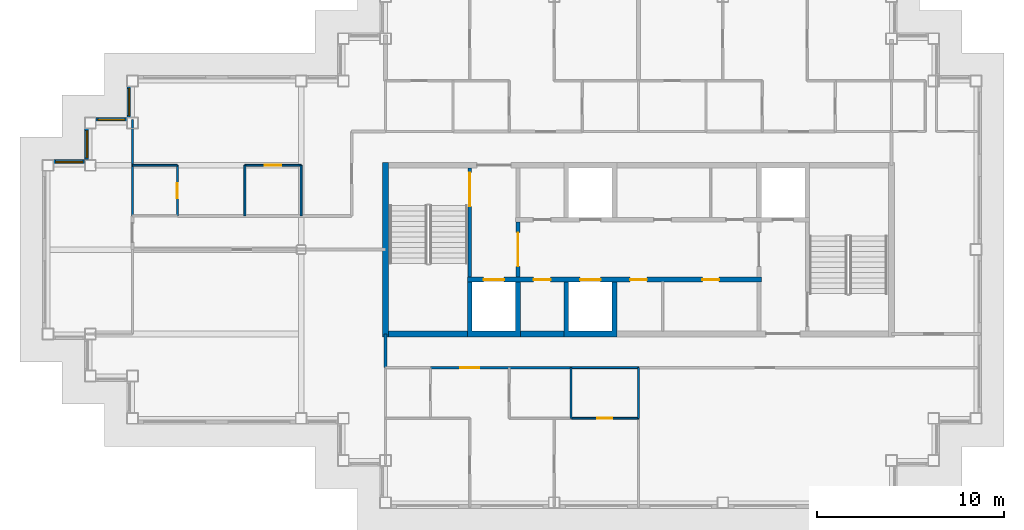
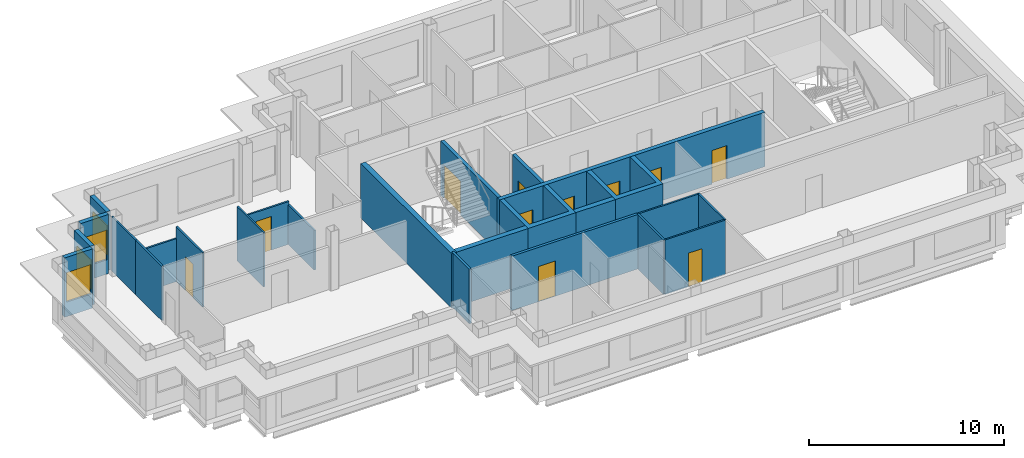
# One storey, part 3 of 12: 25 walls, 11 doors, 4 windows, 15 openings.
"""IFC4 building model written with IfcOpenShell, lengths in metres."""

from ifc_helpers import new_model, si_unit, direction, frame, frame_2d, origin, place, context, subcontext, project, spatial, polyline, rectangle, outline, extrude, material, layer, layer_set, type_object, element, fill, save


model = new_model("IFC4")

# Units and contexts
model_context = context("Model", 3, precision=1e-05, world=origin(), true_north=direction((0.0, 1.0)))
body_context = subcontext(model_context, "Body", "Model", "MODEL_VIEW")
ifc_project = project(units=[si_unit("LENGTHUNIT", "METRE"), si_unit("AREAUNIT", "SQUARE_METRE"), si_unit("VOLUMEUNIT", "CUBIC_METRE"), si_unit("PLANEANGLEUNIT", "RADIAN"), si_unit("MASSUNIT", "GRAM", prefix="KILO")], contexts=[model_context])

# Site, building, storey
site_placement = place(None, origin())
site = spatial("IfcSite", under=ifc_project, at=site_placement, CompositionType="ELEMENT")
building_placement = place(site_placement, origin())
building = spatial("IfcBuilding", under=site, at=building_placement, Name="Caravel Reach Hotel and Residences", CompositionType="ELEMENT")
storey_placement = place(building_placement, frame((0.0, 0.0, 245.300048828125)))
storey = spatial("IfcBuildingStorey", under=building, at=storey_placement, Name="L62", CompositionType="ELEMENT", Elevation=245.300048828125)

# Wall, opening, door
ifc_material_1 = material(Name="Gypsum board on steel stud", Category="steel")
ifc_layer_1 = layer(ifc_material_1, 0.10009765625)
ifc_layer_set_1 = layer_set([ifc_layer_1], Name="Bathroom pod wall 100 mm")
wall_type_1 = type_object("IfcWallType", Name="Bathroom pod wall 100 mm", PredefinedType="PARTITIONING", material=ifc_layer_set_1)
wall_1_placement = place(storey_placement, frame((27.89990234375, 18.0, 0.0), z_axis=(0.0, 0.0, 1.0), x_axis=(1.0, 0.0, 0.0)))
wall_1 = element("IfcWall", 1, at=wall_1_placement, inside=storey, type_object=wall_type_1, Name="L62 wall w052", PredefinedType="PARTITIONING", context=body_context, shape_type="SweptSolid", body=[
    extrude(rectangle(XDim=3.60009765625, YDim=0.10009765625, at=frame_2d((1.800048828125, 0.0))), origin(), (0.0, 0.0, 1.0), 3.39990234375),
])
opening_1_placement = place(wall_1_placement, frame((1.39990234375, 0.0, 0.0)))
opening_1 = element("IfcOpeningElement", 2, at=opening_1_placement, cuts=wall_1, Name="Opening D62-036", PredefinedType="OPENING", context=body_context, shape_type="SweptSolid", body=[
    extrude(rectangle(XDim=0.800048828125, YDim=2.10009765625, at=frame_2d((0.39990234375, 1.050048828125))), frame((0.0, 0.06005859375, 0.0), z_axis=(0.0, -1.0, 0.0), x_axis=(1.0, 0.0, 0.0)), (0.0, 0.0, 1.0), 0.1201171875),
])
ifc_material_2 = material(Name="Timber and steel door leaf", Category="steel")
door_type_1 = type_object("IfcDoorType", Name="Bathroom door 800 x 2100", OperationType="SINGLE_SWING_LEFT", PredefinedType="DOOR", material=ifc_material_2)
door_1_placement = place(opening_1_placement, origin())
door_1 = element("IfcDoor", 3, at=door_1_placement, inside=storey, type_object=door_type_1, Name="door D62-036", OperationType="SINGLE_SWING_RIGHT", OverallHeight=2.10009765625, OverallWidth=0.800048828125, PredefinedType="DOOR", context=body_context, shape_type="SweptSolid", body=[
    extrude(rectangle(XDim=0.800048828125, YDim=2.10009765625, at=frame_2d((0.39990234375, 1.050048828125))), frame((0.0, 0.02490234375, 0.0), z_axis=(0.0, -1.0, 0.0), x_axis=(1.0, 0.0, 0.0)), (0.0, 0.0, 1.0), 0.050048828125),
])
fill(opening_1, door_1)

# Walls
wall_2_placement = place(storey_placement, frame((27.89990234375, 20.699951171875, 0.0), z_axis=(0.0, 0.0, 1.0), x_axis=(1.0, 0.0, 0.0)))
element("IfcWall", 4, at=wall_2_placement, inside=storey, type_object=wall_type_1, Name="L62 wall w054", PredefinedType="PARTITIONING", context=body_context, shape_type="SweptSolid", body=[
    extrude(rectangle(XDim=3.60009765625, YDim=0.10009765625, at=frame_2d((1.800048828125, 0.0))), origin(), (0.0, 0.0, 1.0), 3.39990234375),
])
wall_3_placement = place(storey_placement, frame((4.5, 31.5, 0.0), z_axis=(0.0, 0.0, 1.0), x_axis=(1.0, 0.0, 0.0)))
element("IfcWall", 5, at=wall_3_placement, inside=storey, type_object=wall_type_1, Name="L62 wall w056", PredefinedType="PARTITIONING", context=body_context, shape_type="SweptSolid", body=[
    extrude(rectangle(XDim=2.39990234375, YDim=0.10009765625, at=frame_2d((1.199951171875, 0.0))), origin(), (0.0, 0.0, 1.0), 2.679931640625),
])
for number, where, z_axis, x_axis, name in (
    (6, (27.89990234375, 18.0, 0.0), (0.0, 0.0, 1.0), (0.0, 1.0, 0.0), "L62 wall w070"),
    (7, (31.5, 18.0, 0.0), (0.0, 0.0, 1.0), (0.0, 1.0, 0.0), "L62 wall w073"),
    (8, (4.5, 28.800048828125, 0.0), (0.0, 0.0, 1.0), (0.0, 1.0, 0.0), "L62 wall w075"),
):
    element("IfcWall", number, at=place(storey_placement, frame(where, z_axis=z_axis, x_axis=x_axis)), inside=storey, type_object=wall_type_1, Name=name, PredefinedType="PARTITIONING", context=body_context, shape_type="SweptSolid", body=[
        extrude(rectangle(XDim=2.699951171875, YDim=0.10009765625, at=frame_2d((1.35009765625, 0.0))), origin(), (0.0, 0.0, 1.0), 3.39990234375),
    ])

# Wall, opening, door
wall_4_placement = place(storey_placement, frame((6.89990234375, 28.800048828125, 0.0), z_axis=(0.0, 0.0, 1.0), x_axis=(0.0, 1.0, 0.0)))
wall_4 = element("IfcWall", 9, at=wall_4_placement, inside=storey, type_object=wall_type_1, Name="L62 wall w079", PredefinedType="PARTITIONING", context=body_context, shape_type="SweptSolid", body=[
    extrude(rectangle(XDim=2.699951171875, YDim=0.10009765625, at=frame_2d((1.35009765625, 0.0))), origin(), (0.0, 0.0, 1.0), 3.39990234375),
])
opening_2_placement = place(wall_4_placement, frame((0.949951171875, 0.0, 0.0)))
opening_2 = element("IfcOpeningElement", 10, at=opening_2_placement, cuts=wall_4, Name="Opening D62-030", PredefinedType="OPENING", context=body_context, shape_type="SweptSolid", body=[
    extrude(rectangle(XDim=0.800048828125, YDim=2.10009765625, at=frame_2d((0.39990234375, 1.050048828125))), frame((0.0, 0.06005859375, 0.0), z_axis=(0.0, -1.0, 0.0), x_axis=(1.0, 0.0, 0.0)), (0.0, 0.0, 1.0), 0.1201171875),
])
door_2_placement = place(opening_2_placement, origin())
door_2 = element("IfcDoor", 11, at=door_2_placement, inside=storey, type_object=door_type_1, Name="door D62-030", OperationType="SINGLE_SWING_RIGHT", OverallHeight=2.10009765625, OverallWidth=0.800048828125, PredefinedType="DOOR", context=body_context, shape_type="SweptSolid", body=[
    extrude(rectangle(XDim=0.800048828125, YDim=2.10009765625, at=frame_2d((0.39990234375, 1.050048828125))), frame((0.0, 0.02490234375, 0.0), z_axis=(0.0, -1.0, 0.0), x_axis=(1.0, 0.0, 0.0)), (0.0, 0.0, 1.0), 0.050048828125),
])
fill(opening_2, door_2)

# Walls
ifc_material_3 = material(Name="Concrete C60", Category="concrete")
ifc_layer_2 = layer(ifc_material_3, 0.300048828125)
ifc_layer_set_2 = layer_set([ifc_layer_2], Name="Core wall 300 mm EI 120")
wall_type_2 = type_object("IfcWallType", Name="Core wall 300 mm EI 120", PredefinedType="SHEAR", material=ifc_layer_set_2)
wall_5_placement = place(storey_placement, frame((18.14990234375, 22.5, 0.0), z_axis=(0.0, 0.0, 1.0), x_axis=(1.0, 0.0, 0.0)))
element("IfcWall", 12, at=wall_5_placement, inside=storey, type_object=wall_type_2, Name="L62 core wall S1", PredefinedType="SHEAR", context=body_context, shape_type="SweptSolid", body=[
    extrude(rectangle(XDim=4.22509765625, YDim=0.300048828125, at=frame_2d((2.112548828125, 0.0))), origin(), (0.0, 0.0, 1.0), 3.39990234375),
])
wall_6_placement = place(storey_placement, frame((25.196533203125, 22.5, 0.0), z_axis=(0.0, 0.0, 1.0), x_axis=(1.0, 0.0, 0.0)))
element("IfcWall", 13, at=wall_6_placement, inside=storey, type_object=wall_type_2, Name="L62 core wall S2", PredefinedType="SHEAR", context=body_context, shape_type="SweptSolid", body=[
    extrude(rectangle(XDim=2.3212890625, YDim=0.300048828125, at=frame_2d((1.16064453125, 0.0))), origin(), (0.0, 0.0, 1.0), 3.39990234375),
])
wall_7_placement = place(storey_placement, frame((18.0, 22.35009765625, 0.0), z_axis=(0.0, 0.0, 1.0), x_axis=(0.0, 1.0, 0.0)))
element("IfcWall", 14, at=wall_7_placement, inside=storey, type_object=wall_type_2, Name="L62 core wall W", PredefinedType="SHEAR", context=body_context, shape_type="SweptSolid", body=[
    extrude(rectangle(XDim=9.2998046875, YDim=0.300048828125, at=frame_2d((4.64990234375, 0.0))), origin(), (0.0, 0.0, 1.0), 3.39990234375),
])

# Wall, opening, door
ifc_material_4 = material(Name="Gypsum board on steel stud, fire-rated", Category="steel")
ifc_layer_3 = layer(ifc_material_4, 0.14990234375)
ifc_layer_set_3 = layer_set([ifc_layer_3], Name="Corridor wall 150 mm EI 60")
wall_type_3 = type_object("IfcWallType", Name="Corridor wall 150 mm EI 60", PredefinedType="PARTITIONING", material=ifc_layer_set_3)
wall_8_placement = place(storey_placement, frame((20.39990234375, 20.699951171875, 0.0), z_axis=(0.0, 0.0, 1.0), x_axis=(1.0, 0.0, 0.0)))
wall_8 = element("IfcWall", 15, at=wall_8_placement, inside=storey, type_object=wall_type_3, Name="L62 wall w001", PredefinedType="PARTITIONING", context=body_context, shape_type="SweptSolid", body=[
    extrude(rectangle(XDim=7.5, YDim=0.14990234375, at=frame_2d((3.75, 0.0))), origin(), (0.0, 0.0, 1.0), 3.39990234375),
])
opening_3_placement = place(wall_8_placement, frame((1.60009765625, 0.0, 0.0)))
opening_3 = element("IfcOpeningElement", 16, at=opening_3_placement, cuts=wall_8, Name="Opening D62-033", PredefinedType="OPENING", context=body_context, shape_type="SweptSolid", body=[
    extrude(rectangle(XDim=1.0, YDim=2.199951171875, at=frame_2d((0.5, 1.10009765625))), frame((0.0, 0.0849609375, 0.0), z_axis=(0.0, -1.0, 0.0), x_axis=(1.0, 0.0, 0.0)), (0.0, 0.0, 1.0), 0.169921875),
])
ifc_material_5 = material(Name="Steel fire door leaf", Category="steel")
door_type_2 = type_object("IfcDoorType", Name="Flat entrance door 1000 x 2200 EI 60", OperationType="SINGLE_SWING_LEFT", PredefinedType="DOOR", material=ifc_material_5)
door_3_placement = place(opening_3_placement, origin())
door_3 = element("IfcDoor", 17, at=door_3_placement, inside=storey, type_object=door_type_2, Name="door D62-033", OperationType="SINGLE_SWING_RIGHT", OverallHeight=2.199951171875, OverallWidth=1.0, PredefinedType="DOOR", context=body_context, shape_type="SweptSolid", body=[
    extrude(rectangle(XDim=1.0, YDim=2.199951171875, at=frame_2d((0.5, 1.10009765625))), frame((0.0, 0.02490234375, 0.0), z_axis=(0.0, -1.0, 0.0), x_axis=(1.0, 0.0, 0.0)), (0.0, 0.0, 1.0), 0.050048828125),
])
fill(opening_3, door_3)

# Wall
wall_9_placement = place(storey_placement, frame((18.0, 20.699951171875, 0.0), z_axis=(0.0, 0.0, 1.0), x_axis=(0.0, 1.0, 0.0)))
element("IfcWall", 18, at=wall_9_placement, inside=storey, type_object=wall_type_3, Name="L62 wall w016", PredefinedType="PARTITIONING", context=body_context, shape_type="SweptSolid", body=[
    extrude(rectangle(XDim=1.800048828125, YDim=0.14990234375, at=frame_2d((0.89990234375, 0.0))), origin(), (0.0, 0.0, 1.0), 3.39990234375),
])

# Wall, opening, window
ifc_material_6 = material(Name="Insulated rainscreen wall, aluminium cladding", Category="aluminium")
ifc_layer_4 = layer(ifc_material_6, 0.25)
ifc_layer_set_4 = layer_set([ifc_layer_4], Name="EW1 Tower rainscreen wall")
wall_type_4 = type_object("IfcWallType", Name="EW1 Tower rainscreen wall", PredefinedType="SOLIDWALL", material=ifc_layer_set_4)
wall_10_placement = place(storey_placement, frame((4.324951171875, 35.699951171875, 0.0), z_axis=(0.0, 0.0, 1.0), x_axis=(0.0, -1.0, 0.0)))
wall_10 = element("IfcWall", 19, at=wall_10_placement, inside=storey, type_object=wall_type_4, Name="External wall L62 W19.1", PredefinedType="SOLIDWALL", context=body_context, shape_type="SweptSolid", body=[
    extrude(rectangle(XDim=1.64990234375, YDim=0.25, at=frame_2d((0.824951171875, 0.0))), origin(), (0.0, 0.0, 1.0), 3.699951171875),
])
opening_4_placement = place(wall_10_placement, frame((0.10009765625, 0.0, 0.89990234375)))
opening_4 = element("IfcOpeningElement", 20, at=opening_4_placement, cuts=wall_10, Name="Opening WN25", PredefinedType="OPENING", context=body_context, shape_type="SweptSolid", body=[
    extrude(rectangle(XDim=1.449951171875, YDim=1.85009765625, at=frame_2d((0.72509765625, 0.925048828125))), frame((0.0, 0.135009765625, 0.0), z_axis=(0.0, -1.0, 0.0), x_axis=(1.0, 0.0, 0.0)), (0.0, 0.0, 1.0), 0.27001953125),
])
ifc_material_7 = material(Name="Dark low-e glazing in black aluminium frame", Category="aluminium")
window_type = type_object("IfcWindowType", Name="Residence bedroom window 1450 x 1850", PartitioningType="SINGLE_PANEL", PredefinedType="WINDOW", material=ifc_material_7)
window_1_placement = place(opening_4_placement, origin())
window_1 = element("IfcWindow", 21, at=window_1_placement, inside=storey, type_object=window_type, Name="Window L62 W19.1.1", OverallHeight=1.85009765625, OverallWidth=1.449951171875, PartitioningType="SINGLE_PANEL", PredefinedType="WINDOW", context=body_context, shape_type="SweptSolid", body=[
    extrude(rectangle(XDim=1.449951171875, YDim=1.85009765625, at=frame_2d((0.72509765625, 0.925048828125))), frame((0.0, 0.030029296875, 0.0), z_axis=(0.0, -1.0, 0.0), x_axis=(1.0, 0.0, 0.0)), (0.0, 0.0, 1.0), 0.06005859375),
])
fill(opening_4, window_1)

wall_11_placement = place(storey_placement, frame((4.199951171875, 33.925048828125, 0.0), z_axis=(0.0, 0.0, 1.0), x_axis=(-1.0, 0.0, 0.0)))
wall_11 = element("IfcWall", 22, at=wall_11_placement, inside=storey, type_object=wall_type_4, Name="External wall L62 N20.1", PredefinedType="SOLIDWALL", context=body_context, shape_type="SweptSolid", body=[
    extrude(rectangle(XDim=1.64990234375, YDim=0.25, at=frame_2d((0.824951171875, 0.0))), origin(), (0.0, 0.0, 1.0), 3.699951171875),
])
opening_5_placement = place(wall_11_placement, frame((0.10009765625, 0.0, 0.89990234375)))
opening_5 = element("IfcOpeningElement", 23, at=opening_5_placement, cuts=wall_11, Name="Opening WN25", PredefinedType="OPENING", context=body_context, shape_type="SweptSolid", body=[
    extrude(rectangle(XDim=1.449951171875, YDim=1.85009765625, at=frame_2d((0.72509765625, 0.925048828125))), frame((0.0, 0.135009765625, 0.0), z_axis=(0.0, -1.0, 0.0), x_axis=(1.0, 0.0, 0.0)), (0.0, 0.0, 1.0), 0.27001953125),
])
window_2_placement = place(opening_5_placement, origin())
window_2 = element("IfcWindow", 24, at=window_2_placement, inside=storey, type_object=window_type, Name="Window L62 N20.1.1", OverallHeight=1.85009765625, OverallWidth=1.449951171875, PartitioningType="SINGLE_PANEL", PredefinedType="WINDOW", context=body_context, shape_type="SweptSolid", body=[
    extrude(rectangle(XDim=1.449951171875, YDim=1.85009765625, at=frame_2d((0.72509765625, 0.925048828125))), frame((0.0, 0.030029296875, 0.0), z_axis=(0.0, -1.0, 0.0), x_axis=(1.0, 0.0, 0.0)), (0.0, 0.0, 1.0), 0.06005859375),
])
fill(opening_5, window_2)

wall_12_placement = place(storey_placement, frame((2.074951171875, 33.449951171875, 0.0), z_axis=(0.0, 0.0, 1.0), x_axis=(0.0, -1.0, 0.0)))
wall_12 = element("IfcWall", 25, at=wall_12_placement, inside=storey, type_object=wall_type_4, Name="External wall L62 W21.1", PredefinedType="SOLIDWALL", context=body_context, shape_type="SweptSolid", body=[
    extrude(rectangle(XDim=1.64990234375, YDim=0.25, at=frame_2d((0.824951171875, 0.0))), origin(), (0.0, 0.0, 1.0), 3.699951171875),
])
opening_6_placement = place(wall_12_placement, frame((0.10009765625, 0.0, 0.89990234375)))
opening_6 = element("IfcOpeningElement", 26, at=opening_6_placement, cuts=wall_12, Name="Opening WN25", PredefinedType="OPENING", context=body_context, shape_type="SweptSolid", body=[
    extrude(rectangle(XDim=1.449951171875, YDim=1.85009765625, at=frame_2d((0.72509765625, 0.925048828125))), frame((0.0, 0.135009765625, 0.0), z_axis=(0.0, -1.0, 0.0), x_axis=(1.0, 0.0, 0.0)), (0.0, 0.0, 1.0), 0.27001953125),
])
window_3_placement = place(opening_6_placement, origin())
window_3 = element("IfcWindow", 27, at=window_3_placement, inside=storey, type_object=window_type, Name="Window L62 W21.1.1", OverallHeight=1.85009765625, OverallWidth=1.449951171875, PartitioningType="SINGLE_PANEL", PredefinedType="WINDOW", context=body_context, shape_type="SweptSolid", body=[
    extrude(rectangle(XDim=1.449951171875, YDim=1.85009765625, at=frame_2d((0.72509765625, 0.925048828125))), frame((0.0, 0.030029296875, 0.0), z_axis=(0.0, -1.0, 0.0), x_axis=(1.0, 0.0, 0.0)), (0.0, 0.0, 1.0), 0.06005859375),
])
fill(opening_6, window_3)

wall_13_placement = place(storey_placement, frame((1.949951171875, 31.675048828125, 0.0), z_axis=(0.0, 0.0, 1.0), x_axis=(-1.0, 0.0, 0.0)))
wall_13 = element("IfcWall", 28, at=wall_13_placement, inside=storey, type_object=wall_type_4, Name="External wall L62 N22.1", PredefinedType="SOLIDWALL", context=body_context, shape_type="SweptSolid", body=[
    extrude(rectangle(XDim=1.64990234375, YDim=0.25, at=frame_2d((0.824951171875, 0.0))), origin(), (0.0, 0.0, 1.0), 3.699951171875),
])
opening_7_placement = place(wall_13_placement, frame((0.10009765625, 0.0, 0.89990234375)))
opening_7 = element("IfcOpeningElement", 29, at=opening_7_placement, cuts=wall_13, Name="Opening WN25", PredefinedType="OPENING", context=body_context, shape_type="SweptSolid", body=[
    extrude(rectangle(XDim=1.449951171875, YDim=1.85009765625, at=frame_2d((0.72509765625, 0.925048828125))), frame((0.0, 0.135009765625, 0.0), z_axis=(0.0, -1.0, 0.0), x_axis=(1.0, 0.0, 0.0)), (0.0, 0.0, 1.0), 0.27001953125),
])
window_4_placement = place(opening_7_placement, origin())
window_4 = element("IfcWindow", 30, at=window_4_placement, inside=storey, type_object=window_type, Name="Window L62 N22.1.1", OverallHeight=1.85009765625, OverallWidth=1.449951171875, PartitioningType="SINGLE_PANEL", PredefinedType="WINDOW", context=body_context, shape_type="SweptSolid", body=[
    extrude(rectangle(XDim=1.449951171875, YDim=1.85009765625, at=frame_2d((0.72509765625, 0.925048828125))), frame((0.0, 0.030029296875, 0.0), z_axis=(0.0, -1.0, 0.0), x_axis=(1.0, 0.0, 0.0)), (0.0, 0.0, 1.0), 0.06005859375),
])
fill(opening_7, window_4)

# Wall, opening, door
ifc_material_8 = material(Name="Autoclaved aerated block wall")
ifc_layer_5 = layer(ifc_material_8, 0.199951171875)
ifc_layer_set_5 = layer_set([ifc_layer_5], Name="Fire lobby wall 200 mm EI 120")
wall_type_5 = type_object("IfcWallType", Name="Fire lobby wall 200 mm EI 120", PredefinedType="PARTITIONING", material=ifc_layer_set_5)
wall_14_placement = place(storey_placement, frame((25.071533203125, 25.52490234375, 0.0), z_axis=(0.0, 0.0, 1.0), x_axis=(0.0, 1.0, 0.0)))
wall_14 = element("IfcWall", 31, at=wall_14_placement, inside=storey, type_object=wall_type_5, Name="L62 lobby W wall", PredefinedType="PARTITIONING", context=body_context, shape_type="SweptSolid", body=[
    extrude(rectangle(XDim=2.9501953125, YDim=0.199951171875, at=frame_2d((1.47509765625, 0.0))), origin(), (0.0, 0.0, 1.0), 3.39990234375),
])
opening_8_placement = place(wall_14_placement, frame((0.574951171875, 0.0, 0.0)))
opening_8 = element("IfcOpeningElement", 32, at=opening_8_placement, cuts=wall_14, Name="Opening D62-013", PredefinedType="OPENING", context=body_context, shape_type="SweptSolid", body=[
    extrude(rectangle(XDim=1.800048828125, YDim=2.10009765625, at=frame_2d((0.89990234375, 1.050048828125))), frame((0.0, 0.10986328125, 0.0), z_axis=(0.0, -1.0, 0.0), x_axis=(1.0, 0.0, 0.0)), (0.0, 0.0, 1.0), 0.219970703125),
])
ifc_material_9 = material(Name="Steel fire door leaf", Category="steel")
door_type_3 = type_object("IfcDoorType", Name="Fire lobby door pair 1800 x 2100 EI 90", OperationType="DOUBLE_DOOR_SINGLE_SWING", PredefinedType="DOOR", material=ifc_material_9)
door_4_placement = place(opening_8_placement, origin())
door_4 = element("IfcDoor", 33, at=door_4_placement, inside=storey, type_object=door_type_3, Name="lobby W door pair", OperationType="DOUBLE_DOOR_SINGLE_SWING", OverallHeight=2.10009765625, OverallWidth=1.800048828125, PredefinedType="DOOR", context=body_context, shape_type="SweptSolid", body=[
    extrude(rectangle(XDim=1.800048828125, YDim=2.10009765625, at=frame_2d((0.89990234375, 1.050048828125))), frame((0.0, 0.02490234375, 0.0), z_axis=(0.0, -1.0, 0.0), x_axis=(1.0, 0.0, 0.0)), (0.0, 0.0, 1.0), 0.050048828125),
])
fill(opening_8, door_4)

ifc_material_10 = material(Name="Gypsum board on steel stud", Category="steel")
ifc_layer_6 = layer(ifc_material_10, 0.10009765625)
ifc_layer_set_6 = layer_set([ifc_layer_6], Name="Partition 100 mm")
wall_type_6 = type_object("IfcWallType", Name="Partition 100 mm", PredefinedType="PARTITIONING", material=ifc_layer_set_6)
wall_15_placement = place(storey_placement, frame((10.5, 31.5, 0.0), z_axis=(0.0, 0.0, 1.0), x_axis=(1.0, 0.0, 0.0)))
wall_15 = element("IfcWall", 34, at=wall_15_placement, inside=storey, type_object=wall_type_6, Name="L62 wall w023", PredefinedType="PARTITIONING", context=body_context, shape_type="SweptSolid", body=[
    extrude(rectangle(XDim=3.0, YDim=0.10009765625, at=frame_2d((1.5, 0.0))), origin(), (0.0, 0.0, 1.0), 2.679931640625),
])
opening_9_placement = place(wall_15_placement, frame((1.050048828125, 0.0, 0.0)))
opening_9 = element("IfcOpeningElement", 35, at=opening_9_placement, cuts=wall_15, Name="Opening D62-031", PredefinedType="OPENING", context=body_context, shape_type="SweptSolid", body=[
    extrude(rectangle(XDim=0.89990234375, YDim=2.10009765625, at=frame_2d((0.449951171875, 1.050048828125))), frame((0.0, 0.06005859375, 0.0), z_axis=(0.0, -1.0, 0.0), x_axis=(1.0, 0.0, 0.0)), (0.0, 0.0, 1.0), 0.1201171875),
])
ifc_material_11 = material(Name="Timber and steel door leaf", Category="steel")
door_type_4 = type_object("IfcDoorType", Name="Door 900 x 2100 timber", OperationType="SINGLE_SWING_LEFT", PredefinedType="DOOR", material=ifc_material_11)
door_5_placement = place(opening_9_placement, origin())
door_5 = element("IfcDoor", 36, at=door_5_placement, inside=storey, type_object=door_type_4, Name="door D62-031", OperationType="SINGLE_SWING_LEFT", OverallHeight=2.10009765625, OverallWidth=0.89990234375, PredefinedType="DOOR", context=body_context, shape_type="SweptSolid", body=[
    extrude(rectangle(XDim=0.89990234375, YDim=2.10009765625, at=frame_2d((0.449951171875, 1.050048828125))), frame((0.0, 0.02490234375, 0.0), z_axis=(0.0, -1.0, 0.0), x_axis=(1.0, 0.0, 0.0)), (0.0, 0.0, 1.0), 0.050048828125),
])
fill(opening_9, door_5)

# Walls
wall_16_placement = place(storey_placement, frame((10.5, 28.800048828125, 0.0), z_axis=(0.0, 0.0, 1.0), x_axis=(0.0, 1.0, 0.0)))
element("IfcWall", 37, at=wall_16_placement, inside=storey, type_object=wall_type_6, Name="L62 wall w032", PredefinedType="PARTITIONING", context=body_context, shape_type="SweptSolid", body=[
    extrude(rectangle(XDim=2.699951171875, YDim=0.10009765625, at=frame_2d((1.35009765625, 0.0))), origin(), (0.0, 0.0, 1.0), 3.39990234375),
])
wall_17_placement = place(storey_placement, frame((13.5, 28.801025390625, 0.0), z_axis=(0.0, 0.0, 1.0), x_axis=(0.0, 1.0, 0.0)))
element("IfcWall", 38, at=wall_17_placement, inside=storey, type_object=wall_type_6, Name="L62 wall w033", PredefinedType="PARTITIONING", context=body_context, shape_type="SweptSolid", body=[
    extrude(rectangle(XDim=2.698974609375, YDim=0.10009765625, at=frame_2d((1.349609375, 0.0))), origin(), (0.0, 0.0, 1.0), 2.47998046875),
])
wall_18_placement = place(storey_placement, frame((4.5, 31.5009765625, 0.0), z_axis=(0.0, 0.0, 1.0), x_axis=(0.0, 1.0, 0.0)))
element("IfcWall", 39, at=wall_18_placement, inside=storey, type_object=wall_type_6, Name="L62 wall w044", PredefinedType="PARTITIONING", context=body_context, shape_type="SweptSolid", body=[
    extrude(rectangle(XDim=2.43896484375, YDim=0.10009765625, at=frame_2d((1.219482421875, 0.0))), origin(), (0.0, 0.0, 1.0), 3.39990234375),
])
ifc_material_12 = material(Name="Concrete C60", Category="concrete")
ifc_layer_7 = layer(ifc_material_12, 0.25)
ifc_layer_set_7 = layer_set([ifc_layer_7], Name="Shaft wall 250 mm EI 120")
wall_type_7 = type_object("IfcWallType", Name="Shaft wall 250 mm EI 120", PredefinedType="SHEAR", material=ifc_layer_set_7)
wall_19_placement = place(storey_placement, origin())
element("IfcWall", 40, at=wall_19_placement, inside=storey, type_object=wall_type_7, Name="L62 lift shaft wall S1", PredefinedType="SHEAR", context=body_context, shape_type="SweptSolid", body=[
    extrude(outline(polyline([(22.375, 22.35009765625), (25.196533203125, 22.35009765625), (25.196533203125, 25.27490234375), (24.946533203125, 25.27490234375), (24.946533203125, 22.64990234375), (22.625, 22.64990234375), (22.625, 25.27490234375), (22.375, 25.27490234375), (22.375, 22.35009765625)])), origin(), (0.0, 0.0, 1.0), 3.39990234375),
])
wall_20_placement = place(storey_placement, origin())
element("IfcWall", 41, at=wall_20_placement, inside=storey, type_object=wall_type_7, Name="L62 lift shaft wall S2", PredefinedType="SHEAR", context=body_context, shape_type="SweptSolid", body=[
    extrude(outline(polyline([(27.517822265625, 22.35009765625), (30.33935546875, 22.35009765625), (30.33935546875, 25.27490234375), (30.08935546875, 25.27490234375), (30.08935546875, 22.64990234375), (27.767822265625, 22.64990234375), (27.767822265625, 25.27490234375), (27.517822265625, 25.27490234375), (27.517822265625, 22.35009765625)])), origin(), (0.0, 0.0, 1.0), 3.39990234375),
])

# Wall, openings, doors
wall_21_placement = place(storey_placement, frame((22.375, 25.39990234375, 0.0), z_axis=(0.0, 0.0, 1.0), x_axis=(1.0, 0.0, 0.0)))
wall_21 = element("IfcWall", 42, at=wall_21_placement, inside=storey, type_object=wall_type_7, Name="L62 lobby wall S1", PredefinedType="SHEAR", context=body_context, shape_type="SweptSolid", body=[
    extrude(rectangle(XDim=15.678466796875, YDim=0.25, at=frame_2d((7.83935546875, 0.0))), origin(), (0.0, 0.0, 1.0), 3.39990234375),
])
opening_10_placement = place(wall_21_placement, frame((6.003662109375, 0.0, 0.0)))
opening_10 = element("IfcOpeningElement", 43, at=opening_10_placement, cuts=wall_21, Name="Opening D62-001", PredefinedType="OPENING", context=body_context, shape_type="SweptSolid", body=[
    extrude(rectangle(XDim=1.10009765625, YDim=2.10009765625, at=frame_2d((0.550048828125, 1.050048828125))), frame((0.0, 0.135009765625, 0.0), z_axis=(0.0, -1.0, 0.0), x_axis=(1.0, 0.0, 0.0)), (0.0, 0.0, 1.0), 0.27001953125),
])
opening_11_placement = place(wall_21_placement, frame((0.860595703125, 0.0, 0.0)))
opening_11 = element("IfcOpeningElement", 44, at=opening_11_placement, cuts=wall_21, Name="Opening D62-003", PredefinedType="OPENING", context=body_context, shape_type="SweptSolid", body=[
    extrude(rectangle(XDim=1.10009765625, YDim=2.10009765625, at=frame_2d((0.550048828125, 1.050048828125))), frame((0.0, 0.135009765625, 0.0), z_axis=(0.0, -1.0, 0.0), x_axis=(1.0, 0.0, 0.0)), (0.0, 0.0, 1.0), 0.27001953125),
])
opening_12_placement = place(wall_21_placement, frame((3.531982421875, 0.0, 0.0)))
opening_12 = element("IfcOpeningElement", 45, at=opening_12_placement, cuts=wall_21, Name="Opening D62-005", PredefinedType="OPENING", context=body_context, shape_type="SweptSolid", body=[
    extrude(rectangle(XDim=0.89990234375, YDim=2.10009765625, at=frame_2d((0.449951171875, 1.050048828125))), frame((0.0, 0.135009765625, 0.0), z_axis=(0.0, -1.0, 0.0), x_axis=(1.0, 0.0, 0.0)), (0.0, 0.0, 1.0), 0.27001953125),
])
opening_13_placement = place(wall_21_placement, frame((8.675048828125, 0.0, 0.0)))
opening_13 = element("IfcOpeningElement", 46, at=opening_13_placement, cuts=wall_21, Name="Opening D62-006", PredefinedType="OPENING", context=body_context, shape_type="SweptSolid", body=[
    extrude(rectangle(XDim=0.89990234375, YDim=2.10009765625, at=frame_2d((0.449951171875, 1.050048828125))), frame((0.0, 0.135009765625, 0.0), z_axis=(0.0, -1.0, 0.0), x_axis=(1.0, 0.0, 0.0)), (0.0, 0.0, 1.0), 0.27001953125),
])
opening_14_placement = place(wall_21_placement, frame((12.531982421875, 0.0, 0.0)))
opening_14 = element("IfcOpeningElement", 47, at=opening_14_placement, cuts=wall_21, Name="Opening D62-007", PredefinedType="OPENING", context=body_context, shape_type="SweptSolid", body=[
    extrude(rectangle(XDim=0.89990234375, YDim=2.10009765625, at=frame_2d((0.449951171875, 1.050048828125))), frame((0.0, 0.135009765625, 0.0), z_axis=(0.0, -1.0, 0.0), x_axis=(1.0, 0.0, 0.0)), (0.0, 0.0, 1.0), 0.27001953125),
])
ifc_material_13 = material(Name="Stainless steel landing door", Category="steel")
door_type_5 = type_object("IfcDoorType", Name="Landing door LD 1100 x 2100 sliding", OperationType="DOUBLE_DOOR_SLIDING", PredefinedType="DOOR", material=ifc_material_13)
door_6_placement = place(opening_10_placement, origin())
door_6 = element("IfcDoor", 48, at=door_6_placement, inside=storey, type_object=door_type_5, Name="HP1 landing door", OperationType="DOUBLE_DOOR_SLIDING", OverallHeight=2.10009765625, OverallWidth=1.10009765625, PredefinedType="DOOR", context=body_context, shape_type="SweptSolid", body=[
    extrude(rectangle(XDim=1.10009765625, YDim=2.10009765625, at=frame_2d((0.550048828125, 1.050048828125))), frame((0.0, 0.02490234375, 0.0), z_axis=(0.0, -1.0, 0.0), x_axis=(1.0, 0.0, 0.0)), (0.0, 0.0, 1.0), 0.050048828125),
])
fill(opening_10, door_6)
door_7_placement = place(opening_11_placement, origin())
door_7 = element("IfcDoor", 49, at=door_7_placement, inside=storey, type_object=door_type_5, Name="FL1 landing door", OperationType="DOUBLE_DOOR_SLIDING", OverallHeight=2.10009765625, OverallWidth=1.10009765625, PredefinedType="DOOR", context=body_context, shape_type="SweptSolid", body=[
    extrude(rectangle(XDim=1.10009765625, YDim=2.10009765625, at=frame_2d((0.550048828125, 1.050048828125))), frame((0.0, 0.02490234375, 0.0), z_axis=(0.0, -1.0, 0.0), x_axis=(1.0, 0.0, 0.0)), (0.0, 0.0, 1.0), 0.050048828125),
])
fill(opening_11, door_7)
ifc_material_14 = material(Name="Steel fire door leaf", Category="steel")
door_type_6 = type_object("IfcDoorType", Name="Riser door 900 x 2100 EI 60", OperationType="SINGLE_SWING_LEFT", PredefinedType="DOOR", material=ifc_material_14)
door_8_placement = place(opening_12_placement, origin())
door_8 = element("IfcDoor", 50, at=door_8_placement, inside=storey, type_object=door_type_6, Name="Refuse store door", OperationType="SINGLE_SWING_LEFT", OverallHeight=2.10009765625, OverallWidth=0.89990234375, PredefinedType="DOOR", context=body_context, shape_type="SweptSolid", body=[
    extrude(rectangle(XDim=0.89990234375, YDim=2.10009765625, at=frame_2d((0.449951171875, 1.050048828125))), frame((0.0, 0.02490234375, 0.0), z_axis=(0.0, -1.0, 0.0), x_axis=(1.0, 0.0, 0.0)), (0.0, 0.0, 1.0), 0.050048828125),
])
fill(opening_12, door_8)
door_9_placement = place(opening_13_placement, origin())
door_9 = element("IfcDoor", 51, at=door_9_placement, inside=storey, type_object=door_type_6, Name="Housekeeping store door", OperationType="SINGLE_SWING_LEFT", OverallHeight=2.10009765625, OverallWidth=0.89990234375, PredefinedType="DOOR", context=body_context, shape_type="SweptSolid", body=[
    extrude(rectangle(XDim=0.89990234375, YDim=2.10009765625, at=frame_2d((0.449951171875, 1.050048828125))), frame((0.0, 0.02490234375, 0.0), z_axis=(0.0, -1.0, 0.0), x_axis=(1.0, 0.0, 0.0)), (0.0, 0.0, 1.0), 0.050048828125),
])
fill(opening_13, door_9)
door_10_placement = place(opening_14_placement, origin())
door_10 = element("IfcDoor", 52, at=door_10_placement, inside=storey, type_object=door_type_6, Name="Mail store door", OperationType="SINGLE_SWING_LEFT", OverallHeight=2.10009765625, OverallWidth=0.89990234375, PredefinedType="DOOR", context=body_context, shape_type="SweptSolid", body=[
    extrude(rectangle(XDim=0.89990234375, YDim=2.10009765625, at=frame_2d((0.449951171875, 1.050048828125))), frame((0.0, 0.02490234375, 0.0), z_axis=(0.0, -1.0, 0.0), x_axis=(1.0, 0.0, 0.0)), (0.0, 0.0, 1.0), 0.050048828125),
])
fill(opening_14, door_10)

# Wall, opening, door
ifc_material_15 = material(Name="Concrete C60", Category="concrete")
ifc_layer_8 = layer(ifc_material_15, 0.199951171875)
ifc_layer_set_8 = layer_set([ifc_layer_8], Name="Stair enclosure wall 200 mm EI 120")
wall_type_8 = type_object("IfcWallType", Name="Stair enclosure wall 200 mm EI 120", PredefinedType="SHEAR", material=ifc_layer_set_8)
wall_22_placement = place(storey_placement, frame((22.5, 31.35009765625, 0.0), z_axis=(0.0, 0.0, 1.0), x_axis=(0.0, -1.0, 0.0)))
wall_22 = element("IfcWall", 53, at=wall_22_placement, inside=storey, type_object=wall_type_8, Name="L62 stair A wall", PredefinedType="SHEAR", context=body_context, shape_type="SweptSolid", body=[
    extrude(rectangle(XDim=5.8251953125, YDim=0.199951171875, at=frame_2d((2.91259765625, 0.0))), origin(), (0.0, 0.0, 1.0), 3.39990234375),
])
opening_15_placement = place(wall_22_placement, frame((0.25, 0.0, 0.0)))
opening_15 = element("IfcOpeningElement", 54, at=opening_15_placement, cuts=wall_22, Name="Opening D62-011", PredefinedType="OPENING", context=body_context, shape_type="SweptSolid", body=[
    extrude(rectangle(XDim=1.800048828125, YDim=2.10009765625, at=frame_2d((0.89990234375, 1.050048828125))), frame((0.0, 0.10986328125, 0.0), z_axis=(0.0, -1.0, 0.0), x_axis=(1.0, 0.0, 0.0)), (0.0, 0.0, 1.0), 0.219970703125),
])
ifc_material_16 = material(Name="Steel fire door leaf", Category="steel")
door_type_7 = type_object("IfcDoorType", Name="Stair door pair 1800 x 2100 EI 90", OperationType="DOUBLE_DOOR_SINGLE_SWING", PredefinedType="DOOR", material=ifc_material_16)
door_11_placement = place(opening_15_placement, origin())
door_11 = element("IfcDoor", 55, at=door_11_placement, inside=storey, type_object=door_type_7, Name="stair A door pair", OperationType="DOUBLE_DOOR_SINGLE_SWING", OverallHeight=2.10009765625, OverallWidth=1.800048828125, PredefinedType="DOOR", context=body_context, shape_type="SweptSolid", body=[
    extrude(rectangle(XDim=1.800048828125, YDim=2.10009765625, at=frame_2d((0.89990234375, 1.050048828125))), frame((0.0, 0.02490234375, 0.0), z_axis=(0.0, -1.0, 0.0), x_axis=(1.0, 0.0, 0.0)), (0.0, 0.0, 1.0), 0.050048828125),
])
fill(opening_15, door_11)

save(model, "model.ifc")
